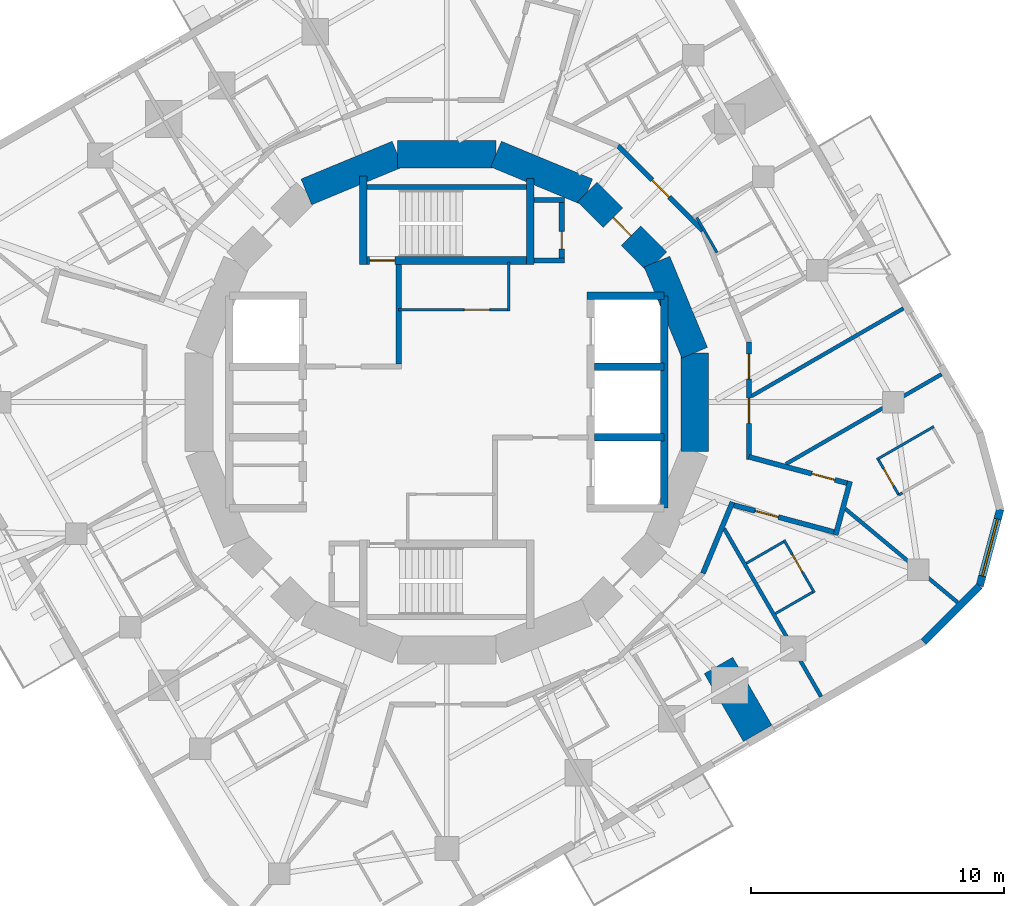
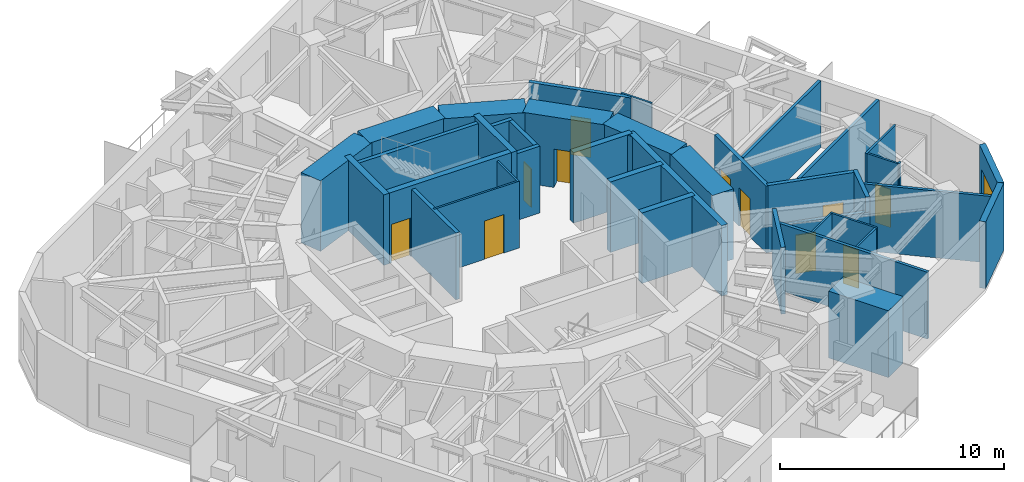
# One storey, part 7 of 11: 40 walls, 11 doors, 1 window, 12 openings.
"""IFC4 building model written with IfcOpenShell, lengths in metres."""

from ifc_helpers import new_model, si_unit, direction, frame, frame_2d, origin, place, context, subcontext, project, spatial, rectangle, extrude, material, layer, layer_set, type_object, element, fill, save


model = new_model("IFC4")

# Units and contexts
model_context = context("Model", 3, precision=1e-05, world=origin(), true_north=direction((0.0, 1.0)))
body_context = subcontext(model_context, "Body", "Model", "MODEL_VIEW")
ifc_project = project(units=[si_unit("LENGTHUNIT", "METRE"), si_unit("AREAUNIT", "SQUARE_METRE"), si_unit("VOLUMEUNIT", "CUBIC_METRE"), si_unit("PLANEANGLEUNIT", "RADIAN"), si_unit("MASSUNIT", "GRAM", prefix="KILO")], contexts=[model_context])

# Site, building, storey
site_placement = place(None, origin())
site = spatial("IfcSite", under=ifc_project, at=site_placement, CompositionType="ELEMENT")
building_placement = place(site_placement, origin())
building = spatial("IfcBuilding", under=site, at=building_placement, Name="Nakasero Lantern House", CompositionType="ELEMENT")
storey_placement = place(building_placement, frame((0.0, 0.0, 242.35009765625)))
storey = spatial("IfcBuildingStorey", under=building, at=storey_placement, Name="L59", CompositionType="ELEMENT", Elevation=242.35009765625)

# Walls
ifc_material_1 = material(Name="Blockwork", Category="masonry")
ifc_layer_1 = layer(ifc_material_1, 1.300048828125)
ifc_layer_set_1 = layer_set([ifc_layer_1], Name="Column pier 1300")
wall_type_1 = type_object("IfcWallType", Name="Column pier 1300", PredefinedType="PARTITIONING", material=ifc_layer_set_1)
wall_1_placement = place(storey_placement, frame((10.75048828125, -10.4208984375, 0.0), z_axis=(0.0, 0.0, 1.0), x_axis=(0.499933790963, -0.866063626216, 0.0)))
element("IfcWall", 1, at=wall_1_placement, inside=storey, type_object=wall_type_1, Name="Column pier L59 PN3-05", PredefinedType="PARTITIONING", context=body_context, shape_type="SweptSolid", body=[
    extrude(rectangle(XDim=3.10009765625, YDim=1.300048828125, at=frame_2d((1.550048828125, 0.0))), origin(), (0.0, 0.0, 1.0), 3.64990234375),
])
ifc_material_2 = material(Name="Concrete C50/60", Category="concrete")
ifc_layer_2 = layer(ifc_material_2, 0.300048828125)
ifc_layer_set_2 = layer_set([ifc_layer_2], Name="Core inner wall 300")
wall_type_2 = type_object("IfcWallType", Name="Core inner wall 300", PredefinedType="SHEAR", material=ifc_layer_set_2)
wall_2_placement = place(storey_placement, frame((5.550048828125, 4.199951171875, 0.0), z_axis=(0.0, 0.0, 1.0), x_axis=(1.0, 0.0, 0.0)))
element("IfcWall", 2, at=wall_2_placement, inside=storey, type_object=wall_type_2, Name="Core inner wall L59 LEN", PredefinedType="SHEAR", context=body_context, shape_type="SweptSolid", body=[
    extrude(rectangle(XDim=3.050048828125, YDim=0.300048828125, at=frame_2d((1.52490234375, 0.0))), origin(), (0.0, 0.0, 1.0), 3.849853515625),
])
wall_3_placement = place(storey_placement, frame((8.60009765625, -4.199951171875, 0.0), z_axis=(0.0, 0.0, 1.0), x_axis=(0.0, 1.0, 0.0)))
element("IfcWall", 3, at=wall_3_placement, inside=storey, type_object=wall_type_2, Name="Core inner wall L59 LEB", PredefinedType="SHEAR", context=body_context, shape_type="SweptSolid", body=[
    extrude(rectangle(XDim=8.39990234375, YDim=0.300048828125, at=frame_2d((4.199951171875, 0.0))), origin(), (0.0, 0.0, 1.0), 3.849853515625),
])
for number, where, z_axis, x_axis, name in (
    (4, (5.85009765625, -1.39990234375, 0.0), (0.0, 0.0, 1.0), (1.0, 0.0, 0.0), "Core inner wall L59 LE1"),
    (5, (5.85009765625, 1.39990234375, 0.0), (0.0, 0.0, 1.0), (1.0, 0.0, 0.0), "Core inner wall L59 LE2"),
):
    element("IfcWall", number, at=place(storey_placement, frame(where, z_axis=z_axis, x_axis=x_axis)), inside=storey, type_object=wall_type_2, Name=name, PredefinedType="SHEAR", context=body_context, shape_type="SweptSolid", body=[
        extrude(rectangle(XDim=2.75, YDim=0.300048828125, at=frame_2d((1.375, 0.0))), origin(), (0.0, 0.0, 1.0), 3.849853515625),
    ])

# Wall, opening, door
wall_4_placement = place(storey_placement, frame((-3.449951171875, 5.60009765625, 0.0), z_axis=(0.0, 0.0, 1.0), x_axis=(1.0, 0.0, 0.0)))
wall_4 = element("IfcWall", 6, at=wall_4_placement, inside=storey, type_object=wall_type_2, Name="Core inner wall L59 SN", PredefinedType="SHEAR", context=body_context, shape_type="SweptSolid", body=[
    extrude(rectangle(XDim=6.89990234375, YDim=0.300048828125, at=frame_2d((3.449951171875, 0.0))), origin(), (0.0, 0.0, 1.0), 3.849853515625),
])
opening_1_placement = place(wall_4_placement, frame((0.39990234375, 0.0, 0.0)))
opening_1 = element("IfcOpeningElement", 7, at=opening_1_placement, cuts=wall_4, Name="Opening D05", PredefinedType="OPENING", context=body_context, shape_type="SweptSolid", body=[
    extrude(rectangle(XDim=1.0, YDim=2.10009765625, at=frame_2d((0.5, 1.050048828125))), frame((0.0, 0.169921875, 0.0), z_axis=(0.0, -1.0, 0.0), x_axis=(1.0, 0.0, 0.0)), (0.0, 0.0, 1.0), 0.340087890625),
])
ifc_material_3 = material(Name="Timber C24", Category="wood")
door_type_1 = type_object("IfcDoorType", Name="Core door FD60S 1000", OperationType="SINGLE_SWING_LEFT", PredefinedType="DOOR", material=ifc_material_3)
door_1_placement = place(opening_1_placement, origin())
door_1 = element("IfcDoor", 8, at=door_1_placement, inside=storey, type_object=door_type_1, Name="Door L59 D-ST1", OperationType="SINGLE_SWING_LEFT", OverallHeight=2.10009765625, OverallWidth=1.0, PredefinedType="DOOR", context=body_context, shape_type="SweptSolid", body=[
    extrude(rectangle(XDim=1.0, YDim=2.10009765625, at=frame_2d((0.5, 1.050048828125))), frame((0.0, 0.02490234375, 0.0), z_axis=(0.0, -1.0, 0.0), x_axis=(1.0, 0.0, 0.0)), (0.0, 0.0, 1.0), 0.050048828125),
])
fill(opening_1, door_1)

# Walls
wall_5_placement = place(storey_placement, frame((-3.300048828125, 5.449951171875, 0.0), z_axis=(0.0, 0.0, 1.0), x_axis=(0.0, 1.0, 0.0)))
element("IfcWall", 9, at=wall_5_placement, inside=storey, type_object=wall_type_2, Name="Core inner wall L59 SNW", PredefinedType="SHEAR", context=body_context, shape_type="SweptSolid", body=[
    extrude(rectangle(XDim=3.5, YDim=0.300048828125, at=frame_2d((1.75, 0.0))), origin(), (0.0, 0.0, 1.0), 3.849853515625),
])
wall_6_placement = place(storey_placement, frame((3.300048828125, 5.449951171875, 0.0), z_axis=(0.0, 0.0, 1.0), x_axis=(0.0, 1.0, 0.0)))
element("IfcWall", 10, at=wall_6_placement, inside=storey, type_object=wall_type_2, Name="Core inner wall L59 SNE", PredefinedType="SHEAR", context=body_context, shape_type="SweptSolid", body=[
    extrude(rectangle(XDim=3.400146484375, YDim=0.300048828125, at=frame_2d((1.7001953125, 0.0))), origin(), (0.0, 0.0, 1.0), 3.849853515625),
])

# Wall, opening, door
ifc_material_4 = material(Name="Blockwork", Category="masonry")
ifc_layer_3 = layer(ifc_material_4, 0.10009765625)
ifc_layer_set_3 = layer_set([ifc_layer_3], Name="Core room wall 100")
wall_type_3 = type_object("IfcWallType", Name="Core room wall 100", PredefinedType="PARTITIONING", material=ifc_layer_set_3)
wall_7_placement = place(storey_placement, frame((-1.89990234375, 3.64990234375, 0.0), z_axis=(0.0, 0.0, 1.0), x_axis=(1.0, 0.0, 0.0)))
wall_7 = element("IfcWall", 11, at=wall_7_placement, inside=storey, type_object=wall_type_3, Name="Core room wall L59 CR-NES", PredefinedType="PARTITIONING", context=body_context, shape_type="SweptSolid", body=[
    extrude(rectangle(XDim=4.39990234375, YDim=0.10009765625, at=frame_2d((2.199951171875, 0.0))), origin(), (0.0, 0.0, 1.0), 3.64990234375),
])
opening_2_placement = place(wall_7_placement, frame((2.60009765625, 0.0, 0.0)))
opening_2 = element("IfcOpeningElement", 12, at=opening_2_placement, cuts=wall_7, Name="Opening D07", PredefinedType="OPENING", context=body_context, shape_type="SweptSolid", body=[
    extrude(rectangle(XDim=1.0, YDim=2.10009765625, at=frame_2d((0.5, 1.050048828125))), frame((0.0, 0.070068359375, 0.0), z_axis=(0.0, -1.0, 0.0), x_axis=(1.0, 0.0, 0.0)), (0.0, 0.0, 1.0), 0.14013671875),
])
ifc_material_5 = material(Name="Timber C24", Category="wood")
door_type_2 = type_object("IfcDoorType", Name="Room door FD30S 1000", OperationType="SINGLE_SWING_LEFT", PredefinedType="DOOR", material=ifc_material_5)
door_2_placement = place(opening_2_placement, origin())
door_2 = element("IfcDoor", 13, at=door_2_placement, inside=storey, type_object=door_type_2, Name="Door L59 D-CR-NE", OperationType="SINGLE_SWING_RIGHT", OverallHeight=2.10009765625, OverallWidth=1.0, PredefinedType="DOOR", context=body_context, shape_type="SweptSolid", body=[
    extrude(rectangle(XDim=1.0, YDim=2.10009765625, at=frame_2d((0.5, 1.050048828125))), frame((0.0, 0.02490234375, 0.0), z_axis=(0.0, -1.0, 0.0), x_axis=(1.0, 0.0, 0.0)), (0.0, 0.0, 1.0), 0.050048828125),
])
fill(opening_2, door_2)

# Walls
wall_8_placement = place(storey_placement, frame((2.449951171875, 3.60009765625, 0.0), z_axis=(0.0, 0.0, 1.0), x_axis=(0.0, 1.0, 0.0)))
element("IfcWall", 14, at=wall_8_placement, inside=storey, type_object=wall_type_3, Name="Core room wall L59 CR-NEE", PredefinedType="PARTITIONING", context=body_context, shape_type="SweptSolid", body=[
    extrude(rectangle(XDim=1.949951171875, YDim=0.10009765625, at=frame_2d((0.97509765625, 0.0))), origin(), (0.0, 0.0, 1.0), 3.64990234375),
])
ifc_material_6 = material(Name="Concrete C50/60", Category="concrete")
ifc_layer_4 = layer(ifc_material_6, 1.10009765625)
ifc_layer_set_4 = layer_set([ifc_layer_4], Name="Core wall 1100")
wall_type_4 = type_object("IfcWallType", Name="Core wall 1100", PredefinedType="SHEAR", material=ifc_layer_set_4)
wall_9_placement = place(storey_placement, frame((9.807861328125, 1.950927734375, 0.0), z_axis=(0.0, 0.0, 1.0), x_axis=(-0.382690736062, 0.923876507187, 0.0)))
element("IfcWall", 15, at=wall_9_placement, inside=storey, type_object=wall_type_4, Name="Core wall L59 facet 1", PredefinedType="SHEAR", context=body_context, shape_type="SweptSolid", body=[
    extrude(rectangle(XDim=3.90185546875, YDim=1.10009765625, at=frame_2d((1.950927734375, 0.0))), origin(), (0.0, 0.0, 1.0), 3.849853515625),
])

# Wall, opening, door
wall_10_placement = place(storey_placement, frame((8.314697265625, 5.5556640625, 0.0), z_axis=(0.0, 0.0, 1.0), x_axis=(-0.707106781187, 0.707106781187, 0.0)))
wall_10 = element("IfcWall", 16, at=wall_10_placement, inside=storey, type_object=wall_type_4, Name="Core wall L59 facet 2", PredefinedType="SHEAR", context=body_context, shape_type="SweptSolid", body=[
    extrude(rectangle(XDim=3.90185546875, YDim=1.10009765625, at=frame_2d((1.950927734375, 0.0))), origin(), (0.0, 0.0, 1.0), 3.849853515625),
])
opening_3_placement = place(wall_10_placement, frame((1.450927734375, 0.0, 0.0)))
opening_3 = element("IfcOpeningElement", 17, at=opening_3_placement, cuts=wall_10, Name="Opening D05", PredefinedType="OPENING", context=body_context, shape_type="SweptSolid", body=[
    extrude(rectangle(XDim=1.0, YDim=2.10009765625, at=frame_2d((0.5, 1.050048828125))), frame((0.0, 0.570068359375, 0.0), z_axis=(0.0, -1.0, 0.0), x_axis=(1.0, 0.0, 0.0)), (0.0, 0.0, 1.0), 1.14013671875),
])
door_3_placement = place(opening_3_placement, origin())
door_3 = element("IfcDoor", 18, at=door_3_placement, inside=storey, type_object=door_type_1, Name="Door L59 D-CORE02", OperationType="SINGLE_SWING_LEFT", OverallHeight=2.10009765625, OverallWidth=1.0, PredefinedType="DOOR", context=body_context, shape_type="SweptSolid", body=[
    extrude(rectangle(XDim=1.0, YDim=2.10009765625, at=frame_2d((0.5, 1.050048828125))), frame((0.0, 0.02490234375, 0.0), z_axis=(0.0, -1.0, 0.0), x_axis=(1.0, 0.0, 0.0)), (0.0, 0.0, 1.0), 0.050048828125),
])
fill(opening_3, door_3)

# Walls
for number, where, z_axis, x_axis, name in (
    (19, (5.5556640625, 8.314697265625, 0.0), (0.0, 0.0, 1.0), (-0.923876507187, 0.382690736062, 0.0), "Core wall L59 facet 3"),
    (20, (1.950927734375, 9.807861328125, 0.0), (0.0, 0.0, 1.0), (-1.0, 0.0, 0.0), "Core wall L59 facet 4"),
    (21, (-1.950927734375, 9.807861328125, 0.0), (0.0, 0.0, 1.0), (-0.923876507187, -0.382690736062, 0.0), "Core wall L59 facet 5"),
    (22, (9.807861328125, -1.950927734375, 0.0), (0.0, 0.0, 1.0), (0.0, 1.0, 0.0), "Core wall L59 facet 16"),
):
    element("IfcWall", number, at=place(storey_placement, frame(where, z_axis=z_axis, x_axis=x_axis)), inside=storey, type_object=wall_type_4, Name=name, PredefinedType="SHEAR", context=body_context, shape_type="SweptSolid", body=[
        extrude(rectangle(XDim=3.90185546875, YDim=1.10009765625, at=frame_2d((1.950927734375, 0.0))), origin(), (0.0, 0.0, 1.0), 3.849853515625),
    ])

# Wall, openings, doors
ifc_material_7 = material(Name="Blockwork", Category="masonry")
ifc_layer_5 = layer(ifc_material_7, 0.199951171875)
ifc_layer_set_5 = layer_set([ifc_layer_5], Name="Corridor wall 200")
wall_type_5 = type_object("IfcWallType", Name="Corridor wall 200", PredefinedType="PARTITIONING", material=ifc_layer_set_5)
wall_11_placement = place(storey_placement, frame((11.957763671875, 2.378662109375, 0.0), z_axis=(0.0, 0.0, 1.0), x_axis=(0.0, -1.0, 0.0)))
wall_11 = element("IfcWall", 23, at=wall_11_placement, inside=storey, type_object=wall_type_5, Name="Corridor wall L59 RC00a", PredefinedType="PARTITIONING", context=body_context, shape_type="SweptSolid", body=[
    extrude(rectangle(XDim=4.651123046875, YDim=0.199951171875, at=frame_2d((2.32568359375, 0.0))), origin(), (0.0, 0.0, 1.0), 3.64990234375),
])
opening_4_placement = place(wall_11_placement, frame((2.219970703125, 0.0, 0.0)))
opening_4 = element("IfcOpeningElement", 24, at=opening_4_placement, cuts=wall_11, Name="Opening D03", PredefinedType="OPENING", context=body_context, shape_type="SweptSolid", body=[
    extrude(rectangle(XDim=1.0, YDim=2.10009765625, at=frame_2d((0.5, 1.050048828125))), frame((0.0, 0.119873046875, 0.0), z_axis=(0.0, -1.0, 0.0), x_axis=(1.0, 0.0, 0.0)), (0.0, 0.0, 1.0), 0.239990234375),
])
opening_5_placement = place(wall_11_placement, frame((0.469970703125, 0.0, 0.0)))
opening_5 = element("IfcOpeningElement", 25, at=opening_5_placement, cuts=wall_11, Name="Opening D03", PredefinedType="OPENING", context=body_context, shape_type="SweptSolid", body=[
    extrude(rectangle(XDim=1.0, YDim=2.10009765625, at=frame_2d((0.5, 1.050048828125))), frame((0.0, 0.119873046875, 0.0), z_axis=(0.0, -1.0, 0.0), x_axis=(1.0, 0.0, 0.0)), (0.0, 0.0, 1.0), 0.239990234375),
])
ifc_material_8 = material(Name="Timber C24", Category="wood")
door_type_3 = type_object("IfcDoorType", Name="Lounge door FD30S 1000", OperationType="SINGLE_SWING_LEFT", PredefinedType="DOOR", material=ifc_material_8)
door_4_placement = place(opening_4_placement, origin())
door_4 = element("IfcDoor", 26, at=door_4_placement, inside=storey, type_object=door_type_3, Name="Door L59 DK0", OperationType="SINGLE_SWING_RIGHT", OverallHeight=2.10009765625, OverallWidth=1.0, PredefinedType="DOOR", context=body_context, shape_type="SweptSolid", body=[
    extrude(rectangle(XDim=1.0, YDim=2.10009765625, at=frame_2d((0.5, 1.050048828125))), frame((0.0, 0.02490234375, 0.0), z_axis=(0.0, -1.0, 0.0), x_axis=(1.0, 0.0, 0.0)), (0.0, 0.0, 1.0), 0.050048828125),
])
fill(opening_4, door_4)
door_5_placement = place(opening_5_placement, origin())
door_5 = element("IfcDoor", 27, at=door_5_placement, inside=storey, type_object=door_type_3, Name="Door L59 DK0-1", OperationType="SINGLE_SWING_LEFT", OverallHeight=2.10009765625, OverallWidth=1.0, PredefinedType="DOOR", context=body_context, shape_type="SweptSolid", body=[
    extrude(rectangle(XDim=1.0, YDim=2.10009765625, at=frame_2d((0.5, 1.050048828125))), frame((0.0, 0.02490234375, 0.0), z_axis=(0.0, -1.0, 0.0), x_axis=(1.0, 0.0, 0.0)), (0.0, 0.0, 1.0), 0.050048828125),
])
fill(opening_5, door_5)

# Wall
wall_12_placement = place(storey_placement, frame((11.302734375, -3.960205078125, 0.0), z_axis=(0.0, 0.0, 1.0), x_axis=(-0.382656259044, -0.923890787601, 0.0)))
element("IfcWall", 28, at=wall_12_placement, inside=storey, type_object=wall_type_5, Name="Corridor wall L59 RC01a", PredefinedType="PARTITIONING", context=body_context, shape_type="SweptSolid", body=[
    extrude(rectangle(XDim=3.045166015625, YDim=0.199951171875, at=frame_2d((1.5224609375, 0.0))), origin(), (0.0, 0.0, 1.0), 3.64990234375),
])

# Wall, opening, door
wall_13_placement = place(storey_placement, frame((6.773681640625, 10.137451171875, 0.0), z_axis=(0.0, 0.0, 1.0), x_axis=(0.707106781187, -0.707106781187, 0.0)))
wall_13 = element("IfcWall", 29, at=wall_13_placement, inside=storey, type_object=wall_type_5, Name="Corridor wall L59 RC14a", PredefinedType="PARTITIONING", context=body_context, shape_type="SweptSolid", body=[
    extrude(rectangle(XDim=4.757080078125, YDim=0.199951171875, at=frame_2d((2.37841796875, 0.0))), origin(), (0.0, 0.0, 1.0), 3.64990234375),
])
opening_6_placement = place(wall_13_placement, frame((1.919921875, 0.0, 0.0)))
opening_6 = element("IfcOpeningElement", 30, at=opening_6_placement, cuts=wall_13, Name="Opening D01", PredefinedType="OPENING", context=body_context, shape_type="SweptSolid", body=[
    extrude(rectangle(XDim=0.949951171875, YDim=2.10009765625, at=frame_2d((0.47509765625, 1.050048828125))), frame((0.0, 0.119873046875, 0.0), z_axis=(0.0, -1.0, 0.0), x_axis=(1.0, 0.0, 0.0)), (0.0, 0.0, 1.0), 0.239990234375),
])
ifc_material_9 = material(Name="Timber C24", Category="wood")
door_type_4 = type_object("IfcDoorType", Name="Bedroom door FD30S 950", OperationType="SINGLE_SWING_LEFT", PredefinedType="DOOR", material=ifc_material_9)
door_6_placement = place(opening_6_placement, origin())
door_6 = element("IfcDoor", 31, at=door_6_placement, inside=storey, type_object=door_type_4, Name="Door L59 D0-04", OperationType="SINGLE_SWING_RIGHT", OverallHeight=2.10009765625, OverallWidth=0.949951171875, PredefinedType="DOOR", context=body_context, shape_type="SweptSolid", body=[
    extrude(rectangle(XDim=0.949951171875, YDim=2.10009765625, at=frame_2d((0.47509765625, 1.050048828125))), frame((0.0, 0.02490234375, 0.0), z_axis=(0.0, -1.0, 0.0), x_axis=(1.0, 0.0, 0.0)), (0.0, 0.0, 1.0), 0.050048828125),
])
fill(opening_6, door_6)

wall_14_placement = place(storey_placement, frame((11.26416015625, -4.053466796875, 0.0), z_axis=(0.0, 0.0, 1.0), x_axis=(0.965919779438, -0.258841611204, 0.0)))
wall_14 = element("IfcWall", 32, at=wall_14_placement, inside=storey, type_object=wall_type_5, Name="Corridor wall L59 SP3a", PredefinedType="PARTITIONING", context=body_context, shape_type="SweptSolid", body=[
    extrude(rectangle(XDim=4.394287109375, YDim=0.199951171875, at=frame_2d((2.197265625, 0.0))), origin(), (0.0, 0.0, 1.0), 2.80908203125),
])
opening_7_placement = place(wall_14_placement, frame((0.969970703125, 0.0, 0.0)))
opening_7 = element("IfcOpeningElement", 33, at=opening_7_placement, cuts=wall_14, Name="Opening D01", PredefinedType="OPENING", context=body_context, shape_type="SweptSolid", body=[
    extrude(rectangle(XDim=0.949951171875, YDim=2.10009765625, at=frame_2d((0.47509765625, 1.050048828125))), frame((0.0, 0.119873046875, 0.0), z_axis=(0.0, -1.0, 0.0), x_axis=(1.0, 0.0, 0.0)), (0.0, 0.0, 1.0), 0.239990234375),
])
door_7_placement = place(opening_7_placement, origin())
door_7 = element("IfcDoor", 34, at=door_7_placement, inside=storey, type_object=door_type_4, Name="Door L59 D3-06", OperationType="SINGLE_SWING_LEFT", OverallHeight=2.10009765625, OverallWidth=0.949951171875, PredefinedType="DOOR", context=body_context, shape_type="SweptSolid", body=[
    extrude(rectangle(XDim=0.949951171875, YDim=2.10009765625, at=frame_2d((0.47509765625, 1.050048828125))), frame((0.0, 0.02490234375, 0.0), z_axis=(0.0, -1.0, 0.0), x_axis=(1.0, 0.0, 0.0)), (0.0, 0.0, 1.0), 0.050048828125),
])
fill(opening_7, door_7)

wall_15_placement = place(storey_placement, frame((11.957763671875, -2.168701171875, 0.0), z_axis=(0.0, 0.0, 1.0), x_axis=(0.965916744568, -0.258852936168, 0.0)))
wall_15 = element("IfcWall", 35, at=wall_15_placement, inside=storey, type_object=wall_type_5, Name="Corridor wall L59 SP3b", PredefinedType="PARTITIONING", context=body_context, shape_type="SweptSolid", body=[
    extrude(rectangle(XDim=4.212158203125, YDim=0.199951171875, at=frame_2d((2.10595703125, 0.0))), origin(), (0.0, 0.0, 1.0), 3.64990234375),
])
opening_8_placement = place(wall_15_placement, frame((2.570068359375, 0.0, 0.0)))
opening_8 = element("IfcOpeningElement", 36, at=opening_8_placement, cuts=wall_15, Name="Opening D01", PredefinedType="OPENING", context=body_context, shape_type="SweptSolid", body=[
    extrude(rectangle(XDim=0.949951171875, YDim=2.10009765625, at=frame_2d((0.47509765625, 1.050048828125))), frame((0.0, 0.119873046875, 0.0), z_axis=(0.0, -1.0, 0.0), x_axis=(1.0, 0.0, 0.0)), (0.0, 0.0, 1.0), 0.239990234375),
])
door_8_placement = place(opening_8_placement, origin())
door_8 = element("IfcDoor", 37, at=door_8_placement, inside=storey, type_object=door_type_4, Name="Door L59 D0-00", OperationType="SINGLE_SWING_RIGHT", OverallHeight=2.10009765625, OverallWidth=0.949951171875, PredefinedType="DOOR", context=body_context, shape_type="SweptSolid", body=[
    extrude(rectangle(XDim=0.949951171875, YDim=2.10009765625, at=frame_2d((0.47509765625, 1.050048828125))), frame((0.0, 0.02490234375, 0.0), z_axis=(0.0, -1.0, 0.0), x_axis=(1.0, 0.0, 0.0)), (0.0, 0.0, 1.0), 0.050048828125),
])
fill(opening_8, door_8)

# Walls
wall_16_placement = place(storey_placement, frame((15.38623046875, -5.261474609375, 0.0), z_axis=(0.0, 0.0, 1.0), x_axis=(0.258898792763, 0.965904454439, 0.0)))
element("IfcWall", 38, at=wall_16_placement, inside=storey, type_object=wall_type_5, Name="Corridor wall L59 SP3e", PredefinedType="PARTITIONING", context=body_context, shape_type="SweptSolid", body=[
    extrude(rectangle(XDim=2.199951171875, YDim=0.199951171875, at=frame_2d((1.10009765625, 0.0))), origin(), (0.0, 0.0, 1.0), 3.64990234375),
])
ifc_material_10 = material(Name="Blockwork", Category="masonry")
ifc_layer_6 = layer(ifc_material_10, 0.10009765625)
ifc_layer_set_6 = layer_set([ifc_layer_6], Name="En-suite wall 100")
wall_type_6 = type_object("IfcWallType", Name="En-suite wall 100", PredefinedType="PARTITIONING", material=ifc_layer_set_6)
wall_17_placement = place(storey_placement, frame((17.015380859375, -2.271728515625, 0.0), z_axis=(0.0, 0.0, 1.0), x_axis=(0.866021400173, 0.500006934395, 0.0)))
element("IfcWall", 39, at=wall_17_placement, inside=storey, type_object=wall_type_6, Name="En-suite wall L59 ES0-00", PredefinedType="PARTITIONING", context=body_context, shape_type="SweptSolid", body=[
    extrude(rectangle(XDim=2.60009765625, YDim=0.10009765625, at=frame_2d((1.300048828125, 0.0))), origin(), (0.0, 0.0, 1.0), 3.64990234375),
])

# Wall, opening, door
wall_18_placement = place(storey_placement, frame((17.8837890625, -3.675537109375, 0.0), z_axis=(0.0, 0.0, 1.0), x_axis=(-0.500061482766, 0.865989903783, 0.0)))
wall_18 = element("IfcWall", 40, at=wall_18_placement, inside=storey, type_object=wall_type_6, Name="En-suite wall L59 EI0-00", PredefinedType="PARTITIONING", context=body_context, shape_type="SweptSolid", body=[
    extrude(rectangle(XDim=1.599853515625, YDim=0.10009765625, at=frame_2d((0.7998046875, 0.0))), origin(), (0.0, 0.0, 1.0), 3.64990234375),
])
opening_9_placement = place(wall_18_placement, frame((0.39990234375, 0.0, 0.0)))
opening_9 = element("IfcOpeningElement", 41, at=opening_9_placement, cuts=wall_18, Name="Opening D02", PredefinedType="OPENING", context=body_context, shape_type="SweptSolid", body=[
    extrude(rectangle(XDim=0.800048828125, YDim=2.10009765625, at=frame_2d((0.39990234375, 1.050048828125))), frame((0.0, 0.070068359375, 0.0), z_axis=(0.0, -1.0, 0.0), x_axis=(1.0, 0.0, 0.0)), (0.0, 0.0, 1.0), 0.14013671875),
])
ifc_material_11 = material(Name="Timber C24", Category="wood")
door_type_5 = type_object("IfcDoorType", Name="En-suite door 800", OperationType="SINGLE_SWING_RIGHT", PredefinedType="DOOR", material=ifc_material_11)
door_9_placement = place(opening_9_placement, origin())
door_9 = element("IfcDoor", 42, at=door_9_placement, inside=storey, type_object=door_type_5, Name="Door L59 DE0-00", OperationType="SINGLE_SWING_LEFT", OverallHeight=2.10009765625, OverallWidth=0.800048828125, PredefinedType="DOOR", context=body_context, shape_type="SweptSolid", body=[
    extrude(rectangle(XDim=0.800048828125, YDim=2.10009765625, at=frame_2d((0.39990234375, 1.050048828125))), frame((0.0, 0.02490234375, 0.0), z_axis=(0.0, -1.0, 0.0), x_axis=(1.0, 0.0, 0.0)), (0.0, 0.0, 1.0), 0.050048828125),
])
fill(opening_9, door_9)

# Wall
wall_19_placement = place(storey_placement, frame((10.69287109375, 5.914794921875, 0.0), z_axis=(0.0, 0.0, 1.0), x_axis=(-0.499880961361, 0.866094119867, 0.0)))
element("IfcWall", 43, at=wall_19_placement, inside=storey, type_object=wall_type_6, Name="En-suite wall L59 EI0-03", PredefinedType="PARTITIONING", context=body_context, shape_type="SweptSolid", body=[
    extrude(rectangle(XDim=1.60009765625, YDim=0.10009765625, at=frame_2d((0.800048828125, 0.0))), origin(), (0.0, 0.0, 1.0), 3.64990234375),
])

# Wall, opening, door
wall_20_placement = place(storey_placement, frame((13.342041015625, -5.46044921875, 0.0), z_axis=(0.0, 0.0, 1.0), x_axis=(0.500033551112, -0.866006032174, 0.0)))
wall_20 = element("IfcWall", 44, at=wall_20_placement, inside=storey, type_object=wall_type_6, Name="En-suite wall L59 ES3-06", PredefinedType="PARTITIONING", context=body_context, shape_type="SweptSolid", body=[
    extrude(rectangle(XDim=2.400146484375, YDim=0.10009765625, at=frame_2d((1.2001953125, 0.0))), origin(), (0.0, 0.0, 1.0), 3.64990234375),
])
opening_10_placement = place(wall_20_placement, frame((0.64990234375, 0.0, 0.0)))
opening_10 = element("IfcOpeningElement", 45, at=opening_10_placement, cuts=wall_20, Name="Opening D02", PredefinedType="OPENING", context=body_context, shape_type="SweptSolid", body=[
    extrude(rectangle(XDim=0.800048828125, YDim=2.10009765625, at=frame_2d((0.39990234375, 1.050048828125))), frame((0.0, 0.070068359375, 0.0), z_axis=(0.0, -1.0, 0.0), x_axis=(1.0, 0.0, 0.0)), (0.0, 0.0, 1.0), 0.14013671875),
])
door_10_placement = place(opening_10_placement, origin())
door_10 = element("IfcDoor", 46, at=door_10_placement, inside=storey, type_object=door_type_5, Name="Door L59 DE3-06", OperationType="SINGLE_SWING_LEFT", OverallHeight=2.10009765625, OverallWidth=0.800048828125, PredefinedType="DOOR", context=body_context, shape_type="SweptSolid", body=[
    extrude(rectangle(XDim=0.800048828125, YDim=2.10009765625, at=frame_2d((0.39990234375, 1.050048828125))), frame((0.0, 0.02490234375, 0.0), z_axis=(0.0, -1.0, 0.0), x_axis=(1.0, 0.0, 0.0)), (0.0, 0.0, 1.0), 0.050048828125),
])
fill(opening_10, door_10)

# Walls
for number, where, z_axis, x_axis, name in (
    (47, (13.001708984375, -8.37060546875, 0.0), (0.0, 0.0, 1.0), (0.86605165483, 0.499954529098, 0.0), "En-suite wall L59 EE3-06"),
    (48, (11.8515625, -6.37890625, 0.0), (0.0, 0.0, 1.0), (0.865989465428, 0.500062241894, 0.0), "En-suite wall L59 EI3-06"),
):
    element("IfcWall", number, at=place(storey_placement, frame(where, z_axis=z_axis, x_axis=x_axis)), inside=storey, type_object=wall_type_6, Name=name, PredefinedType="PARTITIONING", context=body_context, shape_type="SweptSolid", body=[
        extrude(rectangle(XDim=1.699951171875, YDim=0.10009765625, at=frame_2d((0.85009765625, 0.0))), origin(), (0.0, 0.0, 1.0), 3.64990234375),
    ])
wall_21_placement = place(storey_placement, frame((17.8837890625, -3.675537109375, 0.0), z_axis=(0.0, 0.0, 1.0), x_axis=(0.865600433939, 0.500735348028, 0.0)))
element("IfcWall", 49, at=wall_21_placement, inside=storey, type_object=wall_type_6, Name="En-suite wall L59 EI0-00R0", PredefinedType="PARTITIONING", context=body_context, shape_type="SweptSolid", body=[
    extrude(rectangle(XDim=0.159912109375, YDim=0.10009765625, at=frame_2d((0.080078125, 0.0))), origin(), (0.0, 0.0, 1.0), 3.64990234375),
])
ifc_material_12 = material(Name="Aluminium rainscreen on blockwork", Category="masonry")
ifc_layer_7 = layer(ifc_material_12, 0.300048828125)
ifc_layer_set_7 = layer_set([ifc_layer_7], Name="Facade wall 300")
wall_type_7 = type_object("IfcWallType", Name="Facade wall 300", PredefinedType="SOLIDWALL", material=ifc_layer_set_7)
wall_22_placement = place(storey_placement, frame((18.870849609375, -9.4853515625, 0.0), z_axis=(0.0, 0.0, 1.0), x_axis=(0.707145758492, 0.707067801733, 0.0)))
element("IfcWall", 50, at=wall_22_placement, inside=storey, type_object=wall_type_7, Name="Facade wall L59 FW3C1", PredefinedType="SOLIDWALL", context=body_context, shape_type="SweptSolid", body=[
    extrude(rectangle(XDim=3.1318359375, YDim=0.300048828125, at=frame_2d((1.56591796875, 0.0))), origin(), (0.0, 0.0, 1.0), 3.64990234375),
])

# Wall, opening, window
wall_23_placement = place(storey_placement, frame((21.08544921875, -7.27099609375, 0.0), z_axis=(0.0, 0.0, 1.0), x_axis=(0.258807521156, 0.965928914048, 0.0)))
wall_23 = element("IfcWall", 51, at=wall_23_placement, inside=storey, type_object=wall_type_7, Name="Facade wall L59 FW3C2", PredefinedType="SOLIDWALL", context=body_context, shape_type="SweptSolid", body=[
    extrude(rectangle(XDim=3.1318359375, YDim=0.300048828125, at=frame_2d((1.56591796875, 0.0))), origin(), (0.0, 0.0, 1.0), 3.64990234375),
])
opening_11_placement = place(wall_23_placement, frame((0.39990234375, 0.0, 0.75)))
opening_11 = element("IfcOpeningElement", 52, at=opening_11_placement, cuts=wall_23, Name="Opening W223", PredefinedType="OPENING", context=body_context, shape_type="SweptSolid", body=[
    extrude(rectangle(XDim=2.33203125, YDim=1.800048828125, at=frame_2d((1.166015625, 0.89990234375))), frame((0.0, 0.169921875, 0.0), z_axis=(0.0, -1.0, 0.0), x_axis=(1.0, 0.0, 0.0)), (0.0, 0.0, 1.0), 0.340087890625),
])
ifc_material_13 = material(Name="Aluminium 6063-T6 and glass", Category="aluminium")
window_type = type_object("IfcWindowType", Name="Corner window 2332x1800", PartitioningType="SINGLE_PANEL", PredefinedType="WINDOW", material=ifc_material_13)
window_placement = place(opening_11_placement, origin())
window = element("IfcWindow", 53, at=window_placement, inside=storey, type_object=window_type, Name="Window L59 WC3", OverallHeight=1.800048828125, OverallWidth=2.33203125, PartitioningType="SINGLE_PANEL", PredefinedType="WINDOW", context=body_context, shape_type="SweptSolid", body=[
    extrude(rectangle(XDim=2.33203125, YDim=1.800048828125, at=frame_2d((1.166015625, 0.89990234375))), frame((0.0, 0.030029296875, 0.0), z_axis=(0.0, -1.0, 0.0), x_axis=(1.0, 0.0, 0.0)), (0.0, 0.0, 1.0), 0.06005859375),
])
fill(opening_11, window)

# Wall
ifc_material_14 = material(Name="Blockwork", Category="masonry")
ifc_layer_8 = layer(ifc_material_14, 0.199951171875)
ifc_layer_set_8 = layer_set([ifc_layer_8], Name="Fire lobby wall 200")
wall_type_8 = type_object("IfcWallType", Name="Fire lobby wall 200", PredefinedType="PARTITIONING", material=ifc_layer_set_8)
wall_24_placement = place(storey_placement, frame((-1.89990234375, 1.5, 0.0), z_axis=(0.0, 0.0, 1.0), x_axis=(0.0, 1.0, 0.0)))
element("IfcWall", 54, at=wall_24_placement, inside=storey, type_object=wall_type_8, Name="Fire lobby wall L59 W-FL1E", PredefinedType="PARTITIONING", context=body_context, shape_type="SweptSolid", body=[
    extrude(rectangle(XDim=3.949951171875, YDim=0.199951171875, at=frame_2d((1.97509765625, 0.0))), origin(), (0.0, 0.0, 1.0), 3.64990234375),
])

# Wall, opening, door
wall_25_placement = place(storey_placement, frame((4.550048828125, 5.60009765625, 0.0), z_axis=(0.0, 0.0, 1.0), x_axis=(0.0, 1.0, 0.0)))
wall_25 = element("IfcWall", 55, at=wall_25_placement, inside=storey, type_object=wall_type_8, Name="Fire lobby wall L59 W-RS1E", PredefinedType="PARTITIONING", context=body_context, shape_type="SweptSolid", body=[
    extrude(rectangle(XDim=2.39990234375, YDim=0.199951171875, at=frame_2d((1.199951171875, 0.0))), origin(), (0.0, 0.0, 1.0), 3.64990234375),
])
opening_12_placement = place(wall_25_placement, frame((0.449951171875, 0.0, 0.0)))
opening_12 = element("IfcOpeningElement", 56, at=opening_12_placement, cuts=wall_25, Name="Opening D06", PredefinedType="OPENING", context=body_context, shape_type="SweptSolid", body=[
    extrude(rectangle(XDim=0.699951171875, YDim=2.10009765625, at=frame_2d((0.35009765625, 1.050048828125))), frame((0.0, 0.119873046875, 0.0), z_axis=(0.0, -1.0, 0.0), x_axis=(1.0, 0.0, 0.0)), (0.0, 0.0, 1.0), 0.239990234375),
])
ifc_material_15 = material(Name="Steel S355", Category="steel")
door_type_6 = type_object("IfcDoorType", Name="Riser door FD60 700", OperationType="SINGLE_SWING_LEFT", PredefinedType="DOOR", material=ifc_material_15)
door_11_placement = place(opening_12_placement, origin())
door_11 = element("IfcDoor", 57, at=door_11_placement, inside=storey, type_object=door_type_6, Name="Door L59 D-RS1", OperationType="SINGLE_SWING_LEFT", OverallHeight=2.10009765625, OverallWidth=0.699951171875, PredefinedType="DOOR", context=body_context, shape_type="SweptSolid", body=[
    extrude(rectangle(XDim=0.699951171875, YDim=2.10009765625, at=frame_2d((0.35009765625, 1.050048828125))), frame((0.0, 0.02490234375, 0.0), z_axis=(0.0, -1.0, 0.0), x_axis=(1.0, 0.0, 0.0)), (0.0, 0.0, 1.0), 0.050048828125),
])
fill(opening_12, door_11)

# Walls
for number, where, z_axis, x_axis, name in (
    (58, (3.449951171875, 8.0, 0.0), (0.0, 0.0, 1.0), (1.0, 0.0, 0.0), "Fire lobby wall L59 W-RS1N"),
    (59, (3.449951171875, 5.60009765625, 0.0), (0.0, 0.0, 1.0), (1.0, 0.0, 0.0), "Fire lobby wall L59 W-RS1S"),
):
    element("IfcWall", number, at=place(storey_placement, frame(where, z_axis=z_axis, x_axis=x_axis)), inside=storey, type_object=wall_type_8, Name=name, PredefinedType="PARTITIONING", context=body_context, shape_type="SweptSolid", body=[
        extrude(rectangle(XDim=1.199951171875, YDim=0.199951171875, at=frame_2d((0.60009765625, 0.0))), origin(), (0.0, 0.0, 1.0), 3.64990234375),
    ])
wall_26_placement = place(storey_placement, frame((-3.300048828125, 8.5, 0.0), z_axis=(0.0, 0.0, 1.0), x_axis=(1.0, 0.0, 0.0)))
element("IfcWall", 60, at=wall_26_placement, inside=storey, type_object=wall_type_8, Name="Fire lobby wall L59 W-STN", PredefinedType="PARTITIONING", context=body_context, shape_type="SweptSolid", body=[
    extrude(rectangle(XDim=6.60009765625, YDim=0.199951171875, at=frame_2d((3.300048828125, 0.0))), origin(), (0.0, 0.0, 1.0), 3.64990234375),
])
ifc_material_16 = material(Name="Blockwork", Category="masonry")
ifc_layer_9 = layer(ifc_material_16, 0.14990234375)
ifc_layer_set_9 = layer_set([ifc_layer_9], Name="Party wall 150")
wall_type_9 = type_object("IfcWallType", Name="Party wall 150", PredefinedType="PARTITIONING", material=ifc_layer_set_9)
wall_27_placement = place(storey_placement, frame((13.4140625, -2.45556640625, 0.0), z_axis=(0.0, 0.0, 1.0), x_axis=(0.866011773653, 0.500023607337, 0.0)))
element("IfcWall", 61, at=wall_27_placement, inside=storey, type_object=wall_type_9, Name="Party wall L59 PW0-01", PredefinedType="PARTITIONING", context=body_context, shape_type="SweptSolid", body=[
    extrude(rectangle(XDim=7.111083984375, YDim=0.14990234375, at=frame_2d((3.5556640625, 0.0))), origin(), (0.0, 0.0, 1.0), 3.64990234375),
])
wall_28_placement = place(storey_placement, frame((12.057861328125, 0.236083984375, 0.0), z_axis=(0.0, 0.0, 1.0), x_axis=(0.866026229868, 0.499998569178, 0.0)))
element("IfcWall", 62, at=wall_28_placement, inside=storey, type_object=wall_type_9, Name="Party wall L59 PW0-02", PredefinedType="PARTITIONING", context=body_context, shape_type="SweptSolid", body=[
    extrude(rectangle(XDim=6.939453125, YDim=0.14990234375, at=frame_2d((3.4697265625, 0.0))), origin(), (0.0, 0.0, 1.0), 3.64990234375),
])
wall_29_placement = place(storey_placement, frame((10.9755859375, -5.011474609375, 0.0), z_axis=(0.0, 0.0, 1.0), x_axis=(0.499985976588, -0.866033500054, 0.0)))
element("IfcWall", 63, at=wall_29_placement, inside=storey, type_object=wall_type_9, Name="Party wall L59 PW3-06", PredefinedType="PARTITIONING", context=body_context, shape_type="SweptSolid", body=[
    extrude(rectangle(XDim=7.672119140625, YDim=0.14990234375, at=frame_2d((3.8359375, 0.0))), origin(), (0.0, 0.0, 1.0), 3.64990234375),
])
wall_30_placement = place(storey_placement, frame((15.767578125, -4.224853515625, 0.0), z_axis=(0.0, 0.0, 1.0), x_axis=(0.768380441131, -0.639993357533, 0.0)))
element("IfcWall", 64, at=wall_30_placement, inside=storey, type_object=wall_type_9, Name="Party wall L59 PW0-00", PredefinedType="PARTITIONING", context=body_context, shape_type="SweptSolid", body=[
    extrude(rectangle(XDim=5.78271484375, YDim=0.14990234375, at=frame_2d((2.891357421875, 0.0))), origin(), (0.0, 0.0, 1.0), 3.64990234375),
])

save(model, "model.ifc")
